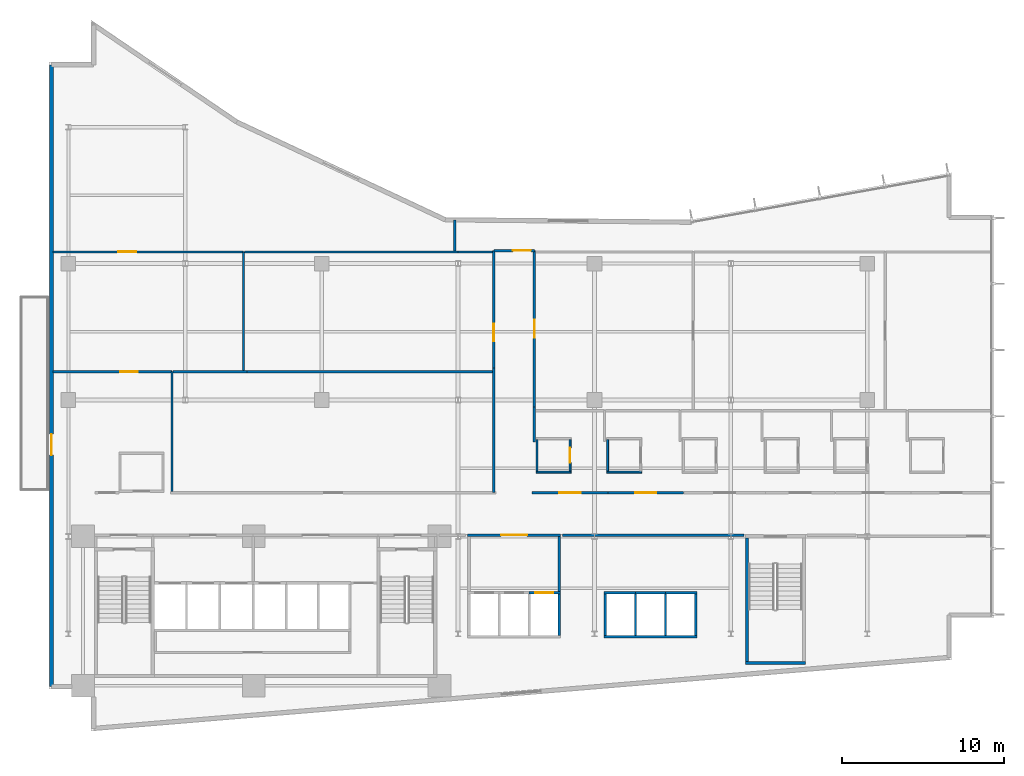
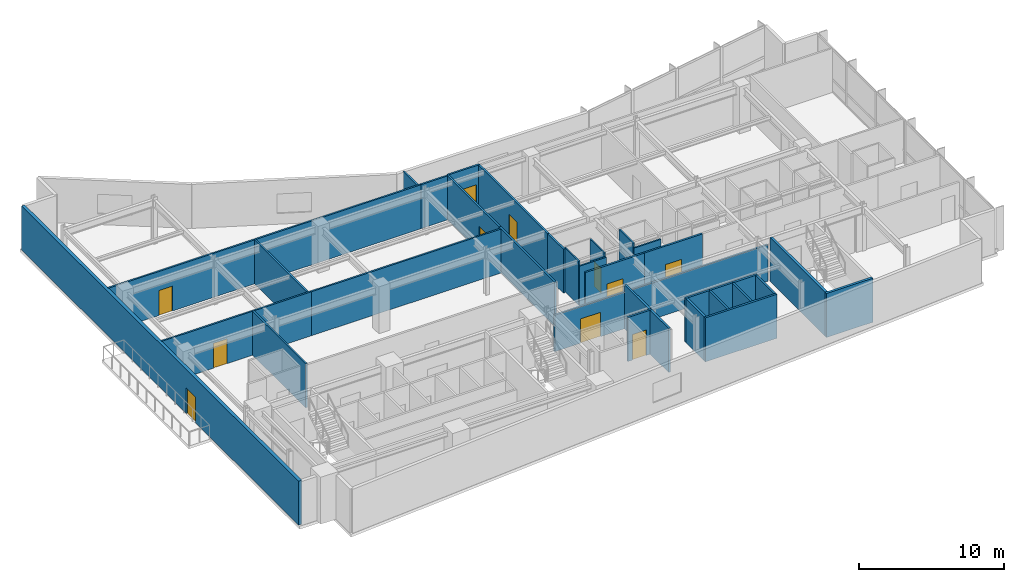
# One storey, part 13 of 19: 37 walls, 11 doors, 11 openings.
"""IFC4 building model written with IfcOpenShell, lengths in metres."""

from ifc_helpers import new_model, si_unit, direction, frame, frame_2d, origin, place, context, subcontext, project, spatial, rectangle, extrude, material, layer, layer_set, type_object, element, fill, save


model = new_model("IFC4")

# Units and contexts
model_context = context("Model", 3, precision=1e-05, world=origin(), true_north=direction((0.0, 1.0)))
body_context = subcontext(model_context, "Body", "Model", "MODEL_VIEW")
ifc_project = project(units=[si_unit("LENGTHUNIT", "METRE"), si_unit("AREAUNIT", "SQUARE_METRE"), si_unit("VOLUMEUNIT", "CUBIC_METRE"), si_unit("PLANEANGLEUNIT", "RADIAN"), si_unit("MASSUNIT", "GRAM", prefix="KILO")], contexts=[model_context])

# Site, building, storey
site_placement = place(None, origin())
site = spatial("IfcSite", under=ifc_project, at=site_placement, CompositionType="ELEMENT")
building_placement = place(site_placement, origin())
building = spatial("IfcBuilding", under=site, at=building_placement, Name="Varnakote Quay Hospital", CompositionType="ELEMENT")
storey_placement = place(building_placement, frame((0.0, 0.0, 85.699951171875)))
storey = spatial("IfcBuildingStorey", under=building, at=storey_placement, Name="L21", CompositionType="ELEMENT", Elevation=85.699951171875)

# Wall
ifc_material_1 = material(Name="Fire-rated acoustic gypsum stud wall", Category="gypsum")
ifc_layer_1 = layer(ifc_material_1, 0.159912109375)
ifc_layer_set_1 = layer_set([ifc_layer_1], Name="Fire-rated acoustic gypsum stud wall")
wall_type_1 = type_object("IfcWallType", Name="WL-COMP-160", PredefinedType="PARTITIONING", material=ifc_layer_set_1)
wall_1_placement = place(storey_placement, frame((31.429931640625, 8.610107421875, 0.0), z_axis=(0.0, 0.0, 1.0), x_axis=(0.0, 1.0, 0.0)))
element("IfcWall", 1, at=wall_1_placement, inside=storey, type_object=wall_type_1, Name="L21 Low-Rise Lift Lobby East Wall", PredefinedType="PARTITIONING", context=body_context, shape_type="SweptSolid", body=[
    extrude(rectangle(XDim=3.389892578125, YDim=0.159912109375, at=frame_2d((1.69482421875, 0.0))), origin(), (0.0, 0.0, 1.0), 3.7099609375),
])

# Wall, opening, door
wall_2_placement = place(storey_placement, frame((25.7900390625, 12.080078125, 0.0), z_axis=(0.0, 0.0, 1.0), x_axis=(1.0, 0.0, 0.0)))
wall_2 = element("IfcWall", 2, at=wall_2_placement, inside=storey, type_object=wall_type_1, Name="L21 Low-Rise Lift Lobby North Wall", PredefinedType="PARTITIONING", context=body_context, shape_type="SweptSolid", body=[
    extrude(rectangle(XDim=5.719970703125, YDim=0.159912109375, at=frame_2d((2.85986328125, 0.0))), origin(), (0.0, 0.0, 1.0), 3.072998046875),
])
opening_1_placement = place(wall_2_placement, frame((2.06005859375, 0.0, 0.0)))
opening_1 = element("IfcOpeningElement", 3, at=opening_1_placement, cuts=wall_2, Name="Opening D-PLL-L21", PredefinedType="OPENING", context=body_context, shape_type="SweptSolid", body=[
    extrude(rectangle(XDim=1.60009765625, YDim=2.050048828125, at=frame_2d((0.800048828125, 1.02490234375))), frame((0.0, 0.08984375, 0.0), z_axis=(0.0, -1.0, 0.0), x_axis=(1.0, 0.0, 0.0)), (0.0, 0.0, 1.0), 0.179931640625),
])
ifc_material_2 = material(Name="Fire-rated double smoke lobby door")
door_type_1 = type_object("IfcDoorType", Name="DR-LOBBY-FD60S-1600x2150", OperationType="NOTDEFINED", PredefinedType="DOOR", material=ifc_material_2)
door_1_placement = place(opening_1_placement, origin())
door_1 = element("IfcDoor", 4, at=door_1_placement, inside=storey, type_object=door_type_1, Name="L21 Low-Rise Passenger Concourse Vestibule Door", OperationType="DOUBLE_DOOR_SINGLE_SWING", OverallHeight=2.050048828125, OverallWidth=1.60009765625, PredefinedType="DOOR", context=body_context, shape_type="SweptSolid", body=[
    extrude(rectangle(XDim=1.60009765625, YDim=2.050048828125, at=frame_2d((0.800048828125, 1.02490234375))), frame((0.0, 0.02490234375, 0.0), z_axis=(0.0, -1.0, 0.0), x_axis=(1.0, 0.0, 0.0)), (0.0, 0.0, 1.0), 0.050048828125),
])
fill(opening_1, door_1)

# Walls
wall_3_placement = place(storey_placement, frame((31.6298828125, 12.080078125, 0.0), z_axis=(0.0, 0.0, 1.0), x_axis=(1.0, 0.0, 0.0)))
element("IfcWall", 5, at=wall_3_placement, inside=storey, type_object=wall_type_1, Name="L21 Corridor South Gap Wall", PredefinedType="PARTITIONING", context=body_context, shape_type="SweptSolid", body=[
    extrude(rectangle(XDim=11.180908203125, YDim=0.159912109375, at=frame_2d((5.59033203125, 0.0))), origin(), (0.0, 0.0, 1.0), 3.072998046875),
])
ifc_material_3 = material(Name="Moisture-resistant bathroom partition", Category="gypsum")
ifc_layer_2 = layer(ifc_material_3, 0.114990234375)
ifc_layer_set_2 = layer_set([ifc_layer_2], Name="Moisture-resistant bathroom partition")
wall_type_2 = type_object("IfcWallType", Name="WL-ENS-115", PredefinedType="PARTITIONING", material=ifc_layer_set_2)
wall_4_placement = place(storey_placement, frame((30.0048828125, 15.952392578125, 0.0), z_axis=(0.0, 0.0, 1.0), x_axis=(1.0, 0.0, 0.0)))
element("IfcWall", 6, at=wall_4_placement, inside=storey, type_object=wall_type_2, Name="L21 Inpatient En-Suite Bathroom 01 S Wall", PredefinedType="PARTITIONING", context=body_context, shape_type="SweptSolid", body=[
    extrude(rectangle(XDim=2.150146484375, YDim=0.114990234375, at=frame_2d((1.0751953125, 0.0))), origin(), (0.0, 0.0, 1.0), 3.3779296875),
])
wall_5_placement = place(storey_placement, frame((30.0625, 16.010009765625, 0.0), z_axis=(0.0, 0.0, 1.0), x_axis=(0.0, 1.0, 0.0)))
element("IfcWall", 7, at=wall_5_placement, inside=storey, type_object=wall_type_2, Name="L21 Inpatient En-Suite Bathroom 01 W Wall", PredefinedType="PARTITIONING", context=body_context, shape_type="SweptSolid", body=[
    extrude(rectangle(XDim=1.949951171875, YDim=0.114990234375, at=frame_2d((0.97509765625, 0.0))), origin(), (0.0, 0.0, 1.0), 3.7099609375),
])

# Wall, opening, door
wall_6_placement = place(storey_placement, frame((32.097412109375, 16.010009765625, 0.0), z_axis=(0.0, 0.0, 1.0), x_axis=(0.0, 1.0, 0.0)))
wall_6 = element("IfcWall", 8, at=wall_6_placement, inside=storey, type_object=wall_type_2, Name="L21 Inpatient En-Suite Bathroom 01 E Wall", PredefinedType="PARTITIONING", context=body_context, shape_type="SweptSolid", body=[
    extrude(rectangle(XDim=1.949951171875, YDim=0.114990234375, at=frame_2d((0.97509765625, 0.0))), origin(), (0.0, 0.0, 1.0), 3.7099609375),
])
opening_2_placement = place(wall_6_placement, frame((0.514892578125, 0.0, 0.0)))
opening_2 = element("IfcOpeningElement", 9, at=opening_2_placement, cuts=wall_6, Name="Opening D-L21-ENS01", PredefinedType="OPENING", context=body_context, shape_type="SweptSolid", body=[
    extrude(rectangle(XDim=0.919921875, YDim=2.10009765625, at=frame_2d((0.4599609375, 1.050048828125))), frame((0.0, 0.0673828125, 0.0), z_axis=(0.0, -1.0, 0.0), x_axis=(1.0, 0.0, 0.0)), (0.0, 0.0, 1.0), 0.135009765625),
])
ifc_material_4 = material(Name="Moisture-sealed en-suite bathroom door")
door_type_2 = type_object("IfcDoorType", Name="DR-ENS-920x2100", OperationType="NOTDEFINED", PredefinedType="DOOR", material=ifc_material_4)
door_2_placement = place(opening_2_placement, origin())
door_2 = element("IfcDoor", 10, at=door_2_placement, inside=storey, type_object=door_type_2, Name="L21 Inpatient En-Suite Bathroom 01 Door", OperationType="SINGLE_SWING_LEFT", OverallHeight=2.10009765625, OverallWidth=0.919921875, PredefinedType="DOOR", context=body_context, shape_type="SweptSolid", body=[
    extrude(rectangle(XDim=0.919921875, YDim=2.10009765625, at=frame_2d((0.4599609375, 1.050048828125))), frame((0.0, 0.02490234375, 0.0), z_axis=(0.0, -1.0, 0.0), x_axis=(1.0, 0.0, 0.0)), (0.0, 0.0, 1.0), 0.050048828125),
])
fill(opening_2, door_2)

# Walls
wall_7_placement = place(storey_placement, frame((34.35498046875, 15.952392578125, 0.0), z_axis=(0.0, 0.0, 1.0), x_axis=(1.0, 0.0, 0.0)))
element("IfcWall", 11, at=wall_7_placement, inside=storey, type_object=wall_type_2, Name="L21 Inpatient En-Suite Bathroom 02 S Wall", PredefinedType="PARTITIONING", context=body_context, shape_type="SweptSolid", body=[
    extrude(rectangle(XDim=2.14990234375, YDim=0.114990234375, at=frame_2d((1.074951171875, 0.0))), origin(), (0.0, 0.0, 1.0), 3.3779296875),
])
wall_8_placement = place(storey_placement, frame((34.41259765625, 16.010009765625, 0.0), z_axis=(0.0, 0.0, 1.0), x_axis=(0.0, 1.0, 0.0)))
element("IfcWall", 12, at=wall_8_placement, inside=storey, type_object=wall_type_2, Name="L21 Inpatient En-Suite Bathroom 02 W Wall", PredefinedType="PARTITIONING", context=body_context, shape_type="SweptSolid", body=[
    extrude(rectangle(XDim=1.949951171875, YDim=0.114990234375, at=frame_2d((0.97509765625, 0.0))), origin(), (0.0, 0.0, 1.0), 3.7099609375),
])

# Wall, opening, door
ifc_material_5 = material(Name="Precast concrete N50 (f'c 50 MPa)", Category="concrete")
ifc_layer_3 = layer(ifc_material_5, 0.260009765625)
ifc_layer_set_3 = layer_set([ifc_layer_3], Name="Precast concrete N50 (f'c 50 MPa)")
wall_type_3 = type_object("IfcWallType", Name="WL-EXT-BRICK-260", PredefinedType="STANDARD", material=ifc_layer_set_3)
wall_9_placement = place(storey_placement, frame((0.159912109375, 41.0400390625, 0.0), z_axis=(0.0, 0.0, 1.0), x_axis=(0.0, -1.0, 0.0)))
wall_9 = element("IfcWall", 13, at=wall_9_placement, inside=storey, type_object=wall_type_3, Name="L21 Healing Terrace Portal Brick Wall", PredefinedType="STANDARD", context=body_context, shape_type="SweptSolid", body=[
    extrude(rectangle(XDim=38.280029296875, YDim=0.260009765625, at=frame_2d((19.14013671875, 0.0))), origin(), (0.0, 0.0, 1.0), 3.7099609375),
])
opening_3_placement = place(wall_9_placement, frame((22.743408203125, 0.0, 0.0)))
opening_3 = element("IfcOpeningElement", 14, at=opening_3_placement, cuts=wall_9, Name="Opening DT-L21", PredefinedType="OPENING", context=body_context, shape_type="SweptSolid", body=[
    extrude(rectangle(XDim=1.300048828125, YDim=2.14990234375, at=frame_2d((0.64990234375, 1.074951171875))), frame((0.0, 0.139892578125, 0.0), z_axis=(0.0, -1.0, 0.0), x_axis=(1.0, 0.0, 0.0)), (0.0, 0.0, 1.0), 0.280029296875),
])
ifc_material_6 = material(Name="Anodised aluminium glazed terrace door", Category="aluminium")
door_type_3 = type_object("IfcDoorType", Name="DR-EXT-TERR-1300x2150", OperationType="NOTDEFINED", PredefinedType="DOOR", material=ifc_material_6)
door_3_placement = place(opening_3_placement, origin())
door_3 = element("IfcDoor", 15, at=door_3_placement, inside=storey, type_object=door_type_3, Name="L21 Waterfront Healing Terrace Door", OperationType="SINGLE_SWING_RIGHT", OverallHeight=2.14990234375, OverallWidth=1.300048828125, PredefinedType="DOOR", context=body_context, shape_type="SweptSolid", body=[
    extrude(rectangle(XDim=1.300048828125, YDim=2.14990234375, at=frame_2d((0.64990234375, 1.074951171875))), frame((0.0, 0.02490234375, 0.0), z_axis=(0.0, -1.0, 0.0), x_axis=(1.0, 0.0, 0.0)), (0.0, 0.0, 1.0), 0.050048828125),
])
fill(opening_3, door_3)

# Walls
ifc_material_7 = material(Name="Concrete N50 (f'c 50 MPa)", Category="concrete")
ifc_layer_4 = layer(ifc_material_7, 0.14990234375)
ifc_layer_set_4 = layer_set([ifc_layer_4], Name="Concrete N50 (f'c 50 MPa)")
wall_type_4 = type_object("IfcWallType", Name="WL-SHAFT-N50-150", PredefinedType="SHEAR", material=ifc_layer_set_4)
for number, where, z_axis, x_axis, name in (
    (16, (36.125, 5.89990234375, 0.0), (0.0, 0.0, 1.0), (0.0, 1.0, 0.0), "L21 LF-PM1 Hoistway Divider Wall"),
    (17, (37.97509765625, 5.89990234375, 0.0), (0.0, 0.0, 1.0), (0.0, 1.0, 0.0), "L21 LF-PM2 Hoistway Divider Wall"),
):
    element("IfcWall", number, at=place(storey_placement, frame(where, z_axis=z_axis, x_axis=x_axis)), inside=storey, type_object=wall_type_4, Name=name, PredefinedType="SHEAR", context=body_context, shape_type="SweptSolid", body=[
        extrude(rectangle(XDim=2.550048828125, YDim=0.14990234375, at=frame_2d((1.27490234375, 0.0))), origin(), (0.0, 0.0, 1.0), 3.7099609375),
    ])
ifc_material_8 = material(Name="Concrete N50 (f'c 50 MPa)", Category="concrete")
ifc_layer_5 = layer(ifc_material_8, 0.159912109375)
ifc_layer_set_5 = layer_set([ifc_layer_5], Name="Concrete N50 (f'c 50 MPa)")
wall_type_5 = type_object("IfcWallType", Name="WL-SHAFT-N50-160", PredefinedType="SHEAR", material=ifc_layer_set_5)
wall_10_placement = place(storey_placement, frame((31.429931640625, 5.89990234375, 0.0), z_axis=(0.0, 0.0, 1.0), x_axis=(0.0, 1.0, 0.0)))
element("IfcWall", 18, at=wall_10_placement, inside=storey, type_object=wall_type_5, Name="L21 LOW Lift Bank East Shear Wall", PredefinedType="SHEAR", context=body_context, shape_type="SweptSolid", body=[
    extrude(rectangle(XDim=2.550048828125, YDim=0.159912109375, at=frame_2d((1.27490234375, 0.0))), origin(), (0.0, 0.0, 1.0), 3.7099609375),
])

# Wall, opening, door
wall_11_placement = place(storey_placement, frame((29.574951171875, 8.530029296875, 0.0), z_axis=(0.0, 0.0, 1.0), x_axis=(1.0, 0.0, 0.0)))
wall_11 = element("IfcWall", 19, at=wall_11_placement, inside=storey, type_object=wall_type_5, Name="L21 LF-PL3 Hoistway Front Wall", PredefinedType="SHEAR", context=body_context, shape_type="SweptSolid", body=[
    extrude(rectangle(XDim=1.93505859375, YDim=0.159912109375, at=frame_2d((0.967529296875, 0.0))), origin(), (0.0, 0.0, 1.0), 3.7099609375),
])
opening_4_placement = place(wall_11_placement, frame((0.375, 0.0, 0.0)))
opening_4 = element("IfcOpeningElement", 20, at=opening_4_placement, cuts=wall_11, Name="Opening LD-PL3-L21", PredefinedType="OPENING", context=body_context, shape_type="SweptSolid", body=[
    extrude(rectangle(XDim=1.10009765625, YDim=2.14990234375, at=frame_2d((0.550048828125, 1.074951171875))), frame((0.0, 0.08984375, 0.0), z_axis=(0.0, -1.0, 0.0), x_axis=(1.0, 0.0, 0.0)), (0.0, 0.0, 1.0), 0.179931640625),
])
ifc_material_9 = material(Name="Brushed bronze lift landing sliding door")
door_type_4 = type_object("IfcDoorType", Name="DR-LIFT-LD-1100x2150", OperationType="NOTDEFINED", PredefinedType="DOOR", material=ifc_material_9)
door_4_placement = place(opening_4_placement, origin())
door_4 = element("IfcDoor", 21, at=door_4_placement, inside=storey, type_object=door_type_4, Name="L21 LF-PL3 Lift Landing Sliding Door", OperationType="SLIDING_TO_LEFT", OverallHeight=2.14990234375, OverallWidth=1.10009765625, PredefinedType="DOOR", context=body_context, shape_type="SweptSolid", body=[
    extrude(rectangle(XDim=1.10009765625, YDim=2.14990234375, at=frame_2d((0.550048828125, 1.074951171875))), frame((0.0, 0.02490234375, 0.0), z_axis=(0.0, -1.0, 0.0), x_axis=(1.0, 0.0, 0.0)), (0.0, 0.0, 1.0), 0.050048828125),
])
fill(opening_4, door_4)

# Walls
wall_12_placement = place(storey_placement, frame((34.18994140625, 5.820068359375, 0.0), z_axis=(0.0, 0.0, 1.0), x_axis=(1.0, 0.0, 0.0)))
element("IfcWall", 22, at=wall_12_placement, inside=storey, type_object=wall_type_5, Name="L21 MID Lift Bank Back Shear Wall", PredefinedType="SHEAR", context=body_context, shape_type="SweptSolid", body=[
    extrude(rectangle(XDim=5.719970703125, YDim=0.159912109375, at=frame_2d((2.85986328125, 0.0))), origin(), (0.0, 0.0, 1.0), 3.7099609375),
])
for number, where, z_axis, x_axis, name in (
    (23, (34.27001953125, 5.89990234375, 0.0), (0.0, 0.0, 1.0), (0.0, 1.0, 0.0), "L21 MID Lift Bank West Shear Wall"),
    (24, (39.830078125, 5.89990234375, 0.0), (0.0, 0.0, 1.0), (0.0, 1.0, 0.0), "L21 MID Lift Bank East Shear Wall"),
):
    element("IfcWall", number, at=place(storey_placement, frame(where, z_axis=z_axis, x_axis=x_axis)), inside=storey, type_object=wall_type_5, Name=name, PredefinedType="SHEAR", context=body_context, shape_type="SweptSolid", body=[
        extrude(rectangle(XDim=2.550048828125, YDim=0.159912109375, at=frame_2d((1.27490234375, 0.0))), origin(), (0.0, 0.0, 1.0), 3.7099609375),
    ])
wall_13_placement = place(storey_placement, frame((34.18994140625, 8.530029296875, 0.0), z_axis=(0.0, 0.0, 1.0), x_axis=(1.0, 0.0, 0.0)))
element("IfcWall", 25, at=wall_13_placement, inside=storey, type_object=wall_type_5, Name="L21 LF-PM1 Hoistway Front Wall", PredefinedType="SHEAR", context=body_context, shape_type="SweptSolid", body=[
    extrude(rectangle(XDim=1.93505859375, YDim=0.159912109375, at=frame_2d((0.967529296875, 0.0))), origin(), (0.0, 0.0, 1.0), 3.7099609375),
])
wall_14_placement = place(storey_placement, frame((36.125, 8.530029296875, 0.0), z_axis=(0.0, 0.0, 1.0), x_axis=(1.0, 0.0, 0.0)))
element("IfcWall", 26, at=wall_14_placement, inside=storey, type_object=wall_type_5, Name="L21 LF-PM2 Hoistway Front Wall", PredefinedType="SHEAR", context=body_context, shape_type="SweptSolid", body=[
    extrude(rectangle(XDim=1.85009765625, YDim=0.159912109375, at=frame_2d((0.925048828125, 0.0))), origin(), (0.0, 0.0, 1.0), 3.7099609375),
])
wall_15_placement = place(storey_placement, frame((37.97509765625, 8.530029296875, 0.0), z_axis=(0.0, 0.0, 1.0), x_axis=(1.0, 0.0, 0.0)))
element("IfcWall", 27, at=wall_15_placement, inside=storey, type_object=wall_type_5, Name="L21 LF-PM3 Hoistway Front Wall", PredefinedType="SHEAR", context=body_context, shape_type="SweptSolid", body=[
    extrude(rectangle(XDim=1.934814453125, YDim=0.159912109375, at=frame_2d((0.96728515625, 0.0))), origin(), (0.0, 0.0, 1.0), 3.7099609375),
])
ifc_material_10 = material(Name="Concrete N50 (f'c 50 MPa)", Category="concrete")
ifc_layer_6 = layer(ifc_material_10, 0.199951171875)
ifc_layer_set_6 = layer_set([ifc_layer_6], Name="Concrete N50 (f'c 50 MPa)")
wall_type_6 = type_object("IfcWallType", Name="WL-SHAFT-N50-200", PredefinedType="SHEAR", material=ifc_layer_set_6)
wall_16_placement = place(storey_placement, frame((42.89990234375, 4.199951171875, 0.0), z_axis=(0.0, 0.0, 1.0), x_axis=(1.0, 0.0, 0.0)))
element("IfcWall", 28, at=wall_16_placement, inside=storey, type_object=wall_type_6, Name="L21 Stair ST3 South Shaft Wall", PredefinedType="SHEAR", context=body_context, shape_type="SweptSolid", body=[
    extrude(rectangle(XDim=3.7001953125, YDim=0.199951171875, at=frame_2d((1.85009765625, 0.0))), origin(), (0.0, 0.0, 1.0), 3.7099609375),
])
wall_17_placement = place(storey_placement, frame((43.0, 4.300048828125, 0.0), z_axis=(0.0, 0.0, 1.0), x_axis=(0.0, 1.0, 0.0)))
element("IfcWall", 29, at=wall_17_placement, inside=storey, type_object=wall_type_6, Name="L21 Stair ST3 West Shaft Wall", PredefinedType="SHEAR", context=body_context, shape_type="SweptSolid", body=[
    extrude(rectangle(XDim=7.599853515625, YDim=0.199951171875, at=frame_2d((3.7998046875, 0.0))), origin(), (0.0, 0.0, 1.0), 3.7099609375),
])
ifc_material_11 = material(Name="Smoke-proof clinical partition", Category="gypsum")
ifc_layer_7 = layer(ifc_material_11, 0.135009765625)
ifc_layer_set_7 = layer_set([ifc_layer_7], Name="Smoke-proof clinical partition")
wall_type_7 = type_object("IfcWallType", Name="WL-SMOKE-135", PredefinedType="PARTITIONING", material=ifc_layer_set_7)
wall_18_placement = place(storey_placement, frame((7.580078125, 14.760009765625, 0.0), z_axis=(0.0, 0.0, 1.0), x_axis=(0.0, 1.0, 0.0)))
element("IfcWall", 30, at=wall_18_placement, inside=storey, type_object=wall_type_7, Name="L21 Clinical Interior Partition", PredefinedType="PARTITIONING", context=body_context, shape_type="SweptSolid", body=[
    extrude(rectangle(XDim=7.3798828125, YDim=0.135009765625, at=frame_2d((3.68994140625, 0.0))), origin(), (0.0, 0.0, 1.0), 3.7099609375),
])

# Wall, opening, door
wall_19_placement = place(storey_placement, frame((7.580078125, 22.139892578125, 0.0), z_axis=(0.0, 0.0, 1.0), x_axis=(-1.0, 0.0, 0.0)))
wall_19 = element("IfcWall", 31, at=wall_19_placement, inside=storey, type_object=wall_type_7, Name="L21 Clinical Interior Partition", PredefinedType="PARTITIONING", context=body_context, shape_type="SweptSolid", body=[
    extrude(rectangle(XDim=7.340087890625, YDim=0.135009765625, at=frame_2d((3.669921875, 0.0))), origin(), (0.0, 0.0, 1.0), 3.7099609375),
])
opening_5_placement = place(wall_19_placement, frame((2.097900390625, 0.0, 0.0)))
opening_5 = element("IfcOpeningElement", 32, at=opening_5_placement, cuts=wall_19, Name="Opening D-L21-MD01", PredefinedType="OPENING", context=body_context, shape_type="SweptSolid", body=[
    extrude(rectangle(XDim=1.10009765625, YDim=2.10009765625, at=frame_2d((0.550048828125, 1.050048828125))), frame((0.0, 0.077392578125, 0.0), z_axis=(0.0, -1.0, 0.0), x_axis=(1.0, 0.0, 0.0)), (0.0, 0.0, 1.0), 0.155029296875),
])
ifc_material_12 = material(Name="Acoustic timber clinical consult door", Category="wood")
door_type_5 = type_object("IfcDoorType", Name="DR-CLIN-FD30S-1100x2100", OperationType="NOTDEFINED", PredefinedType="DOOR", material=ifc_material_12)
door_5_placement = place(opening_5_placement, origin())
door_5 = element("IfcDoor", 33, at=door_5_placement, inside=storey, type_object=door_type_5, Name="L21 Outpatient Specialist Consult Office Door", OperationType="SINGLE_SWING_LEFT", OverallHeight=2.10009765625, OverallWidth=1.10009765625, PredefinedType="DOOR", context=body_context, shape_type="SweptSolid", body=[
    extrude(rectangle(XDim=1.10009765625, YDim=2.10009765625, at=frame_2d((0.550048828125, 1.050048828125))), frame((0.0, 0.02490234375, 0.0), z_axis=(0.0, -1.0, 0.0), x_axis=(1.0, 0.0, 0.0)), (0.0, 0.0, 1.0), 0.050048828125),
])
fill(opening_5, door_5)

# Walls
wall_20_placement = place(storey_placement, frame((12.1845703125, 22.139892578125, 0.0), z_axis=(0.0, 0.0, 1.0), x_axis=(-1.0, 0.0, 0.0)))
element("IfcWall", 34, at=wall_20_placement, inside=storey, type_object=wall_type_7, Name="L21 Clinical Interior Partition", PredefinedType="PARTITIONING", context=body_context, shape_type="SweptSolid", body=[
    extrude(rectangle(XDim=4.547119140625, YDim=0.135009765625, at=frame_2d((2.2734375, 0.0))), origin(), (0.0, 0.0, 1.0), 3.7099609375),
])
wall_21_placement = place(storey_placement, frame((27.320068359375, 22.139892578125, 0.0), z_axis=(0.0, 0.0, 1.0), x_axis=(-1.0, 0.0, 0.0)))
element("IfcWall", 35, at=wall_21_placement, inside=storey, type_object=wall_type_7, Name="L21 Clinical Interior Partition", PredefinedType="PARTITIONING", context=body_context, shape_type="SweptSolid", body=[
    extrude(rectangle(XDim=15.133544921875, YDim=0.135009765625, at=frame_2d((7.56689453125, 0.0))), origin(), (0.0, 0.0, 1.0), 3.7099609375),
])
wall_22_placement = place(storey_placement, frame((11.989990234375, 22.197509765625, 0.0), z_axis=(0.0, 0.0, 1.0), x_axis=(0.0, 1.0, 0.0)))
element("IfcWall", 36, at=wall_22_placement, inside=storey, type_object=wall_type_7, Name="L21 Clinical Interior Partition", PredefinedType="PARTITIONING", context=body_context, shape_type="SweptSolid", body=[
    extrude(rectangle(XDim=7.322509765625, YDim=0.135009765625, at=frame_2d((3.6611328125, 0.0))), origin(), (0.0, 0.0, 1.0), 3.7099609375),
])

# Wall, opening, door
wall_23_placement = place(storey_placement, frame((11.989990234375, 29.52001953125, 0.0), z_axis=(0.0, 0.0, 1.0), x_axis=(-1.0, 0.0, 0.0)))
wall_23 = element("IfcWall", 37, at=wall_23_placement, inside=storey, type_object=wall_type_7, Name="L21 Clinical Interior Partition", PredefinedType="PARTITIONING", context=body_context, shape_type="SweptSolid", body=[
    extrude(rectangle(XDim=11.75, YDim=0.135009765625, at=frame_2d((5.875, 0.0))), origin(), (0.0, 0.0, 1.0), 3.7099609375),
])
opening_6_placement = place(wall_23_placement, frame((6.606201171875, 0.0, 0.0)))
opening_6 = element("IfcOpeningElement", 38, at=opening_6_placement, cuts=wall_23, Name="Opening D-L21-MD06", PredefinedType="OPENING", context=body_context, shape_type="SweptSolid", body=[
    extrude(rectangle(XDim=1.10009765625, YDim=2.10009765625, at=frame_2d((0.550048828125, 1.050048828125))), frame((0.0, 0.077392578125, 0.0), z_axis=(0.0, -1.0, 0.0), x_axis=(1.0, 0.0, 0.0)), (0.0, 0.0, 1.0), 0.155029296875),
])
door_6_placement = place(opening_6_placement, origin())
door_6 = element("IfcDoor", 39, at=door_6_placement, inside=storey, type_object=door_type_5, Name="L21 Telehealth Consult Office Door", OperationType="SINGLE_SWING_RIGHT", OverallHeight=2.10009765625, OverallWidth=1.10009765625, PredefinedType="DOOR", context=body_context, shape_type="SweptSolid", body=[
    extrude(rectangle(XDim=1.10009765625, YDim=2.10009765625, at=frame_2d((0.550048828125, 1.050048828125))), frame((0.0, 0.02490234375, 0.0), z_axis=(0.0, -1.0, 0.0), x_axis=(1.0, 0.0, 0.0)), (0.0, 0.0, 1.0), 0.050048828125),
])
fill(opening_6, door_6)

# Walls
wall_24_placement = place(storey_placement, frame((25.194580078125, 29.52001953125, 0.0), z_axis=(0.0, 0.0, 1.0), x_axis=(-1.0, 0.0, 0.0)))
element("IfcWall", 40, at=wall_24_placement, inside=storey, type_object=wall_type_7, Name="L21 Clinical Interior Partition", PredefinedType="PARTITIONING", context=body_context, shape_type="SweptSolid", body=[
    extrude(rectangle(XDim=13.14697265625, YDim=0.135009765625, at=frame_2d((6.573486328125, 0.0))), origin(), (0.0, 0.0, 1.0), 3.7099609375),
])
wall_25_placement = place(storey_placement, frame((27.320068359375, 29.52001953125, 0.0), z_axis=(0.0, 0.0, 1.0), x_axis=(-1.0, 0.0, 0.0)))
element("IfcWall", 41, at=wall_25_placement, inside=storey, type_object=wall_type_7, Name="L21 Clinical Interior Partition", PredefinedType="PARTITIONING", context=body_context, shape_type="SweptSolid", body=[
    extrude(rectangle(XDim=2.12353515625, YDim=0.135009765625, at=frame_2d((1.061767578125, 0.0))), origin(), (0.0, 0.0, 1.0), 3.7099609375),
])
wall_26_placement = place(storey_placement, frame((25.0, 29.577392578125, 0.0), z_axis=(0.0, 0.0, 1.0), x_axis=(0.0, 1.0, 0.0)))
element("IfcWall", 42, at=wall_26_placement, inside=storey, type_object=wall_type_7, Name="L21 Clinical Interior Partition", PredefinedType="PARTITIONING", context=body_context, shape_type="SweptSolid", body=[
    extrude(rectangle(XDim=1.9091796875, YDim=0.135009765625, at=frame_2d((0.95458984375, 0.0))), origin(), (0.0, 0.0, 1.0), 3.7099609375),
])

# Wall, opening, door
ifc_material_13 = material(Name="Fire-rated clinical gypsum partition", Category="gypsum")
ifc_layer_8 = layer(ifc_material_13, 0.14990234375)
ifc_layer_set_8 = layer_set([ifc_layer_8], Name="Fire-rated clinical gypsum partition")
wall_type_8 = type_object("IfcWallType", Name="WL-WARD-150", PredefinedType="PARTITIONING", material=ifc_layer_set_8)
wall_27_placement = place(storey_placement, frame((34.43603515625, 14.679931640625, 0.0), z_axis=(0.0, 0.0, 1.0), x_axis=(-1.0, 0.0, 0.0)))
wall_27 = element("IfcWall", 43, at=wall_27_placement, inside=storey, type_object=wall_type_8, Name="L21 Clinical Interior Partition", PredefinedType="PARTITIONING", context=body_context, shape_type="SweptSolid", body=[
    extrude(rectangle(XDim=4.68212890625, YDim=0.14990234375, at=frame_2d((2.341064453125, 0.0))), origin(), (0.0, 0.0, 1.0), 3.7099609375),
])
opening_7_placement = place(wall_27_placement, frame((1.69091796875, 0.0, 0.0)))
opening_7 = element("IfcOpeningElement", 44, at=opening_7_placement, cuts=wall_27, Name="Opening D-L21-BR01", PredefinedType="OPENING", context=body_context, shape_type="SweptSolid", body=[
    extrude(rectangle(XDim=1.300048828125, YDim=2.14990234375, at=frame_2d((0.64990234375, 1.074951171875))), frame((0.0, 0.0849609375, 0.0), z_axis=(0.0, -1.0, 0.0), x_axis=(1.0, 0.0, 0.0)), (0.0, 0.0, 1.0), 0.169921875),
])
ifc_material_14 = material(Name="Solid-core timber clinical bed door", Category="wood")
door_type_6 = type_object("IfcDoorType", Name="DR-WARD-FD30S-1300x2150", OperationType="NOTDEFINED", PredefinedType="DOOR", material=ifc_material_14)
door_7_placement = place(opening_7_placement, origin())
door_7 = element("IfcDoor", 45, at=door_7_placement, inside=storey, type_object=door_type_6, Name="L21 Resident Care Bedroom 01 Door", OperationType="SINGLE_SWING_RIGHT", OverallHeight=2.14990234375, OverallWidth=1.300048828125, PredefinedType="DOOR", context=body_context, shape_type="SweptSolid", body=[
    extrude(rectangle(XDim=1.300048828125, YDim=2.14990234375, at=frame_2d((0.64990234375, 1.074951171875))), frame((0.0, 0.02490234375, 0.0), z_axis=(0.0, -1.0, 0.0), x_axis=(1.0, 0.0, 0.0)), (0.0, 0.0, 1.0), 0.050048828125),
])
fill(opening_7, door_7)

wall_28_placement = place(storey_placement, frame((39.095947265625, 14.679931640625, 0.0), z_axis=(0.0, 0.0, 1.0), x_axis=(-1.0, 0.0, 0.0)))
wall_28 = element("IfcWall", 46, at=wall_28_placement, inside=storey, type_object=wall_type_8, Name="L21 Clinical Interior Partition", PredefinedType="PARTITIONING", context=body_context, shape_type="SweptSolid", body=[
    extrude(rectangle(XDim=4.657958984375, YDim=0.14990234375, at=frame_2d((2.3291015625, 0.0))), origin(), (0.0, 0.0, 1.0), 3.7099609375),
])
opening_8_placement = place(wall_28_placement, frame((1.678955078125, 0.0, 0.0)))
opening_8 = element("IfcOpeningElement", 47, at=opening_8_placement, cuts=wall_28, Name="Opening D-L21-BR02", PredefinedType="OPENING", context=body_context, shape_type="SweptSolid", body=[
    extrude(rectangle(XDim=1.300048828125, YDim=2.14990234375, at=frame_2d((0.64990234375, 1.074951171875))), frame((0.0, 0.0849609375, 0.0), z_axis=(0.0, -1.0, 0.0), x_axis=(1.0, 0.0, 0.0)), (0.0, 0.0, 1.0), 0.169921875),
])
door_8_placement = place(opening_8_placement, origin())
door_8 = element("IfcDoor", 48, at=door_8_placement, inside=storey, type_object=door_type_6, Name="L21 Resident Care Bedroom 02 Door", OperationType="SINGLE_SWING_LEFT", OverallHeight=2.14990234375, OverallWidth=1.300048828125, PredefinedType="DOOR", context=body_context, shape_type="SweptSolid", body=[
    extrude(rectangle(XDim=1.300048828125, YDim=2.14990234375, at=frame_2d((0.64990234375, 1.074951171875))), frame((0.0, 0.02490234375, 0.0), z_axis=(0.0, -1.0, 0.0), x_axis=(1.0, 0.0, 0.0)), (0.0, 0.0, 1.0), 0.050048828125),
])
fill(opening_8, door_8)

# Wall
wall_29_placement = place(storey_placement, frame((27.39990234375, 22.365966796875, 0.0), z_axis=(0.0, 0.0, 1.0), x_axis=(0.0, -1.0, 0.0)))
element("IfcWall", 49, at=wall_29_placement, inside=storey, type_object=wall_type_8, Name="L21 Clinical Interior Partition", PredefinedType="PARTITIONING", context=body_context, shape_type="SweptSolid", body=[
    extrude(rectangle(XDim=7.666015625, YDim=0.14990234375, at=frame_2d((3.8330078125, 0.0))), origin(), (0.0, 0.0, 1.0), 3.7099609375),
])

# Wall, opening, door
wall_30_placement = place(storey_placement, frame((27.39990234375, 29.60009765625, 0.0), z_axis=(0.0, 0.0, 1.0), x_axis=(0.0, -1.0, 0.0)))
wall_30 = element("IfcWall", 50, at=wall_30_placement, inside=storey, type_object=wall_type_8, Name="L21 Clinical Interior Partition", PredefinedType="PARTITIONING", context=body_context, shape_type="SweptSolid", body=[
    extrude(rectangle(XDim=7.232177734375, YDim=0.14990234375, at=frame_2d((3.6162109375, 0.0))), origin(), (0.0, 0.0, 1.0), 3.7099609375),
])
opening_9_placement = place(wall_30_placement, frame((4.4990234375, 0.0, 0.0)))
opening_9 = element("IfcOpeningElement", 51, at=opening_9_placement, cuts=wall_30, Name="Opening D-L21-MD02", PredefinedType="OPENING", context=body_context, shape_type="SweptSolid", body=[
    extrude(rectangle(XDim=1.10009765625, YDim=2.10009765625, at=frame_2d((0.550048828125, 1.050048828125))), frame((0.0, 0.0849609375, 0.0), z_axis=(0.0, -1.0, 0.0), x_axis=(1.0, 0.0, 0.0)), (0.0, 0.0, 1.0), 0.169921875),
])
door_9_placement = place(opening_9_placement, origin())
door_9 = element("IfcDoor", 52, at=door_9_placement, inside=storey, type_object=door_type_5, Name="L21 Telehealth Consult Office Door", OperationType="SINGLE_SWING_RIGHT", OverallHeight=2.10009765625, OverallWidth=1.10009765625, PredefinedType="DOOR", context=body_context, shape_type="SweptSolid", body=[
    extrude(rectangle(XDim=1.10009765625, YDim=2.10009765625, at=frame_2d((0.550048828125, 1.050048828125))), frame((0.0, 0.02490234375, 0.0), z_axis=(0.0, -1.0, 0.0), x_axis=(1.0, 0.0, 0.0)), (0.0, 0.0, 1.0), 0.050048828125),
])
fill(opening_9, door_9)

# Wall
wall_31_placement = place(storey_placement, frame((29.89990234375, 17.81396484375, 0.0), z_axis=(0.0, 0.0, 1.0), x_axis=(0.0, 1.0, 0.0)))
element("IfcWall", 53, at=wall_31_placement, inside=storey, type_object=wall_type_8, Name="L21 Clinical Interior Partition", PredefinedType="PARTITIONING", context=body_context, shape_type="SweptSolid", body=[
    extrude(rectangle(XDim=2.152099609375, YDim=0.14990234375, at=frame_2d((1.076171875, 0.0))), origin(), (0.0, 0.0, 1.0), 3.7099609375),
])

# Wall, opening, door
wall_32_placement = place(storey_placement, frame((29.89990234375, 19.968017578125, 0.0), z_axis=(0.0, 0.0, 1.0), x_axis=(0.0, 1.0, 0.0)))
wall_32 = element("IfcWall", 54, at=wall_32_placement, inside=storey, type_object=wall_type_8, Name="L21 Clinical Interior Partition", PredefinedType="PARTITIONING", context=body_context, shape_type="SweptSolid", body=[
    extrude(rectangle(XDim=9.632080078125, YDim=0.14990234375, at=frame_2d((4.81591796875, 0.0))), origin(), (0.0, 0.0, 1.0), 3.7099609375),
])
opening_10_placement = place(wall_32_placement, frame((4.26611328125, 0.0, 0.0)))
opening_10 = element("IfcOpeningElement", 55, at=opening_10_placement, cuts=wall_32, Name="Opening D-L21-MD03", PredefinedType="OPENING", context=body_context, shape_type="SweptSolid", body=[
    extrude(rectangle(XDim=1.10009765625, YDim=2.10009765625, at=frame_2d((0.550048828125, 1.050048828125))), frame((0.0, 0.0849609375, 0.0), z_axis=(0.0, -1.0, 0.0), x_axis=(1.0, 0.0, 0.0)), (0.0, 0.0, 1.0), 0.169921875),
])
door_10_placement = place(opening_10_placement, origin())
door_10 = element("IfcDoor", 56, at=door_10_placement, inside=storey, type_object=door_type_5, Name="L21 Daylight Rehabilitation Treatment Suite Door", OperationType="SINGLE_SWING_LEFT", OverallHeight=2.10009765625, OverallWidth=1.10009765625, PredefinedType="DOOR", context=body_context, shape_type="SweptSolid", body=[
    extrude(rectangle(XDim=1.10009765625, YDim=2.10009765625, at=frame_2d((0.550048828125, 1.050048828125))), frame((0.0, 0.02490234375, 0.0), z_axis=(0.0, -1.0, 0.0), x_axis=(1.0, 0.0, 0.0)), (0.0, 0.0, 1.0), 0.050048828125),
])
fill(opening_10, door_10)

wall_33_placement = place(storey_placement, frame((29.89990234375, 29.60009765625, 0.0), z_axis=(0.0, 0.0, 1.0), x_axis=(-1.0, 0.0, 0.0)))
wall_33 = element("IfcWall", 57, at=wall_33_placement, inside=storey, type_object=wall_type_8, Name="L21 Clinical Interior Partition", PredefinedType="PARTITIONING", context=body_context, shape_type="SweptSolid", body=[
    extrude(rectangle(XDim=2.5, YDim=0.14990234375, at=frame_2d((1.25, 0.0))), origin(), (0.0, 0.0, 1.0), 3.7099609375),
])
opening_11_placement = place(wall_33_placement, frame((0.22509765625, 0.0, 0.0)))
opening_11 = element("IfcOpeningElement", 58, at=opening_11_placement, cuts=wall_33, Name="Opening D-L21-MD07", PredefinedType="OPENING", context=body_context, shape_type="SweptSolid", body=[
    extrude(rectangle(XDim=1.10009765625, YDim=2.10009765625, at=frame_2d((0.550048828125, 1.050048828125))), frame((0.0, 0.0849609375, 0.0), z_axis=(0.0, -1.0, 0.0), x_axis=(1.0, 0.0, 0.0)), (0.0, 0.0, 1.0), 0.169921875),
])
door_11_placement = place(opening_11_placement, origin())
door_11 = element("IfcDoor", 59, at=door_11_placement, inside=storey, type_object=door_type_5, Name="L21 Daylight Rehabilitation Treatment Suite Door", OperationType="SINGLE_SWING_RIGHT", OverallHeight=2.10009765625, OverallWidth=1.10009765625, PredefinedType="DOOR", context=body_context, shape_type="SweptSolid", body=[
    extrude(rectangle(XDim=1.10009765625, YDim=2.10009765625, at=frame_2d((0.550048828125, 1.050048828125))), frame((0.0, 0.02490234375, 0.0), z_axis=(0.0, -1.0, 0.0), x_axis=(1.0, 0.0, 0.0)), (0.0, 0.0, 1.0), 0.050048828125),
])
fill(opening_11, door_11)

save(model, "model.ifc")
